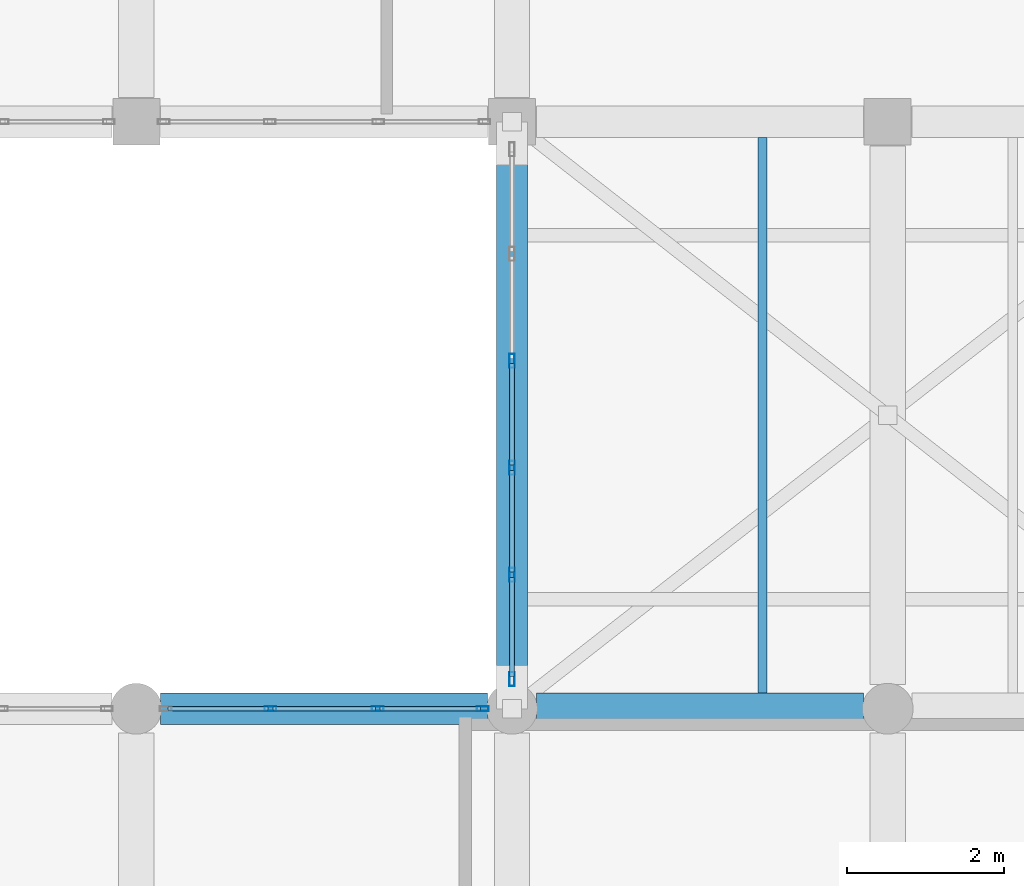
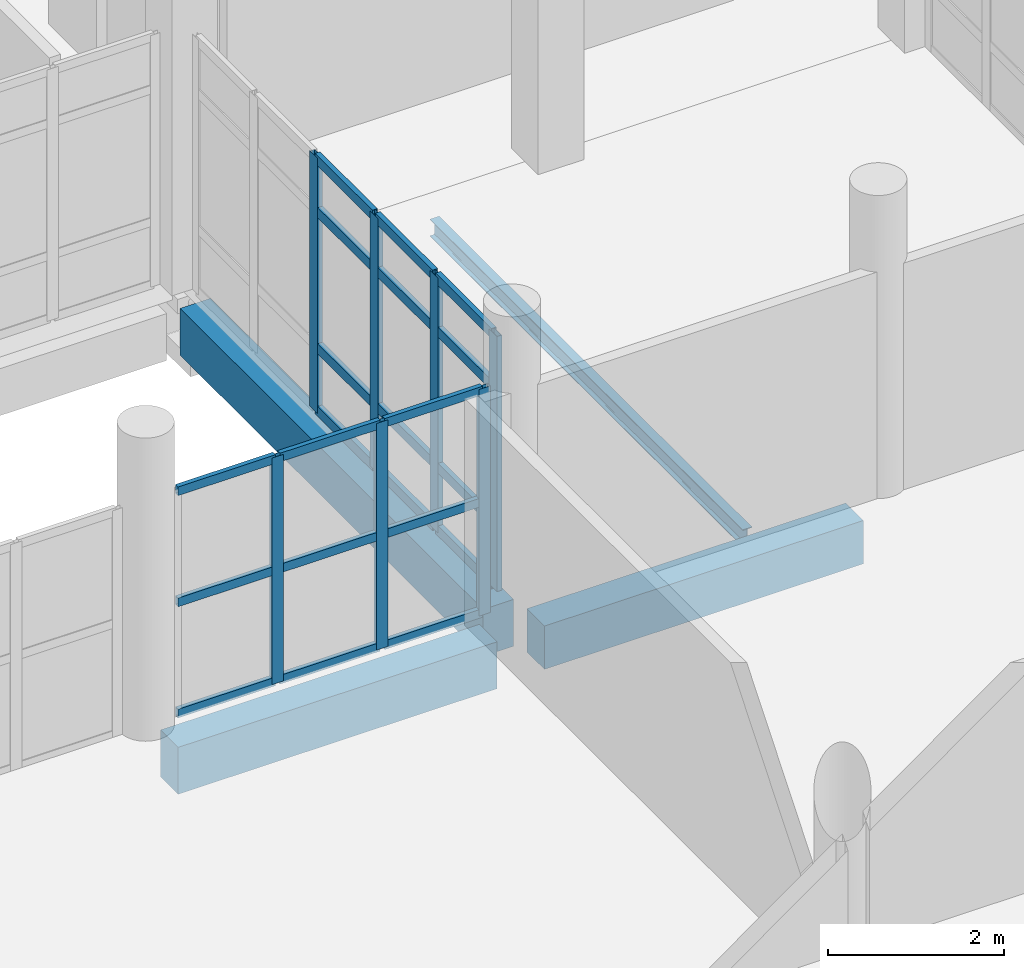
# One storey, part 85 of 164: 28 members, 4 beams, 2 elements without a shape of their own.
"""IFC4 building model written with IfcOpenShell, lengths in metres."""

from ifc_helpers import new_model, si_unit, direction, frame, origin, origin_2d, place, context, subcontext, project, spatial, rectangle, hollow_rectangle, i_section, extrude, material, layer, layer_set, material_profile, profile_set, type_object, element, aggregate, save


model = new_model("IFC4")

# Units and contexts
model_context = context("Model", 3, precision=1e-05, world=origin(), true_north=direction((0.0, 1.0)))
body_context = subcontext(model_context, "Body", "Model", "MODEL_VIEW")
ifc_project = project(units=[si_unit("LENGTHUNIT", "METRE"), si_unit("AREAUNIT", "SQUARE_METRE"), si_unit("VOLUMEUNIT", "CUBIC_METRE"), si_unit("PLANEANGLEUNIT", "RADIAN"), si_unit("MASSUNIT", "GRAM", prefix="KILO")], contexts=[model_context])

# Site, building, storey
site_placement = place(None, origin())
site = spatial("IfcSite", under=ifc_project, at=site_placement, CompositionType="ELEMENT")
building_placement = place(site_placement, origin())
building = spatial("IfcBuilding", under=site, at=building_placement, Name="Mawjan Specialist Oncology Clinic", CompositionType="ELEMENT")
storey_placement = place(building_placement, frame((0.0, 0.0, 5.0)))
storey = spatial("IfcBuildingStorey", under=building, at=storey_placement, Name="L01", CompositionType="ELEMENT", Elevation=5.0)

# Beam
ifc_material_1 = material(Name="Concrete C40/50", Category="concrete")
ifc_material_profile_1 = material_profile(ifc_material_1, rectangle(XDim=0.39990234375, YDim=0.60009765625, at=origin_2d()), Name="RC BM 400x600", Category="concrete")
ifc_profile_set_1 = profile_set([ifc_material_profile_1], Name="Concrete C40/50")
beam_type_1 = type_object("IfcBeamType", Name="BM-400x600", PredefinedType="BEAM", material=ifc_profile_set_1)
beam_1_placement = place(storey_placement, frame((84.31005859375, 75.800048828125, -0.60009765625), z_axis=(1.0, 0.0, 0.0), x_axis=(0.0, 1.0, 0.0)))
element("IfcBeam", 1, at=beam_1_placement, inside=storey, type_object=beam_type_1, Name="L01 Collector Beam BM-L01-0330", PredefinedType="BEAM", context=body_context, shape_type="SweptSolid", body=[
    extrude(rectangle(XDim=0.39990234375, YDim=0.60009765625, at=origin_2d()), origin(), (0.0, 0.0, 1.0), 4.179931640625),
])

# Curtain wall, members
ifc_material_2 = material(Name="Unitised spectrally selective aluminium curtain wall", Category="aluminium")
ifc_layer_1 = layer(ifc_material_2, 0.179931640625, Name="Unitised spectrally selective aluminium curtain wall", Category="aluminium")
ifc_layer_set_1 = layer_set([ifc_layer_1], Name="Unitised spectrally selective aluminium curtain wall")
curtain_wall_type_1 = type_object("IfcCurtainWallType", Name="CW-56", PredefinedType="NOTDEFINED", material=ifc_layer_set_1)
curtain_wall_1_placement = place(storey_placement, origin())
curtain_wall_1 = element("IfcCurtainWall", 2, at=curtain_wall_1_placement, inside=storey, type_object=curtain_wall_type_1, Name="L01 Unitised Curtain Wall CW-L01-107", PredefinedType="NOTDEFINED")
ifc_material_3 = material(Name="Thermally broken aluminium 6063-T6", Category="aluminium")
ifc_material_profile_2 = material_profile(ifc_material_3, hollow_rectangle(XDim=0.06005859375, YDim=0.14990234375, WallThickness=0.00390625, at=origin_2d()), Name="ALU MULLION 150x60x4", Category="aluminium")
ifc_profile_set_2 = profile_set([ifc_material_profile_2], Name="Thermally broken aluminium 6063-T6")
member_type_1 = type_object("IfcMemberType", Name="CW-M150", PredefinedType="MULLION", material=ifc_profile_set_2)
member_1_placement = place(storey_placement, frame((80.9150390625, 75.800048828125, 0.0), z_axis=(0.0, 0.0, 1.0), x_axis=(0.0, 1.0, 0.0)))
member_1 = element("IfcMember", 3, at=member_1_placement, type_object=member_type_1, Name="CW-56 mullion 2", PredefinedType="MULLION", context=body_context, shape_type="SweptSolid", body=[
    extrude(hollow_rectangle(XDim=0.06005859375, YDim=0.14990234375, WallThickness=0.00390625, at=origin_2d()), origin(), (0.0, 0.0, 1.0), 3.139892578125),
])
member_2_placement = place(storey_placement, frame((82.284912109375, 75.800048828125, 0.0), z_axis=(0.0, 0.0, 1.0), x_axis=(0.0, 1.0, 0.0)))
member_2 = element("IfcMember", 4, at=member_2_placement, type_object=member_type_1, Name="CW-56 mullion 3", PredefinedType="MULLION", context=body_context, shape_type="SweptSolid", body=[
    extrude(hollow_rectangle(XDim=0.06005859375, YDim=0.14990234375, WallThickness=0.00390625, at=origin_2d()), origin(), (0.0, 0.0, 1.0), 3.139892578125),
])
member_3_placement = place(storey_placement, frame((83.625, 75.800048828125, 0.0), z_axis=(0.0, 0.0, 1.0), x_axis=(0.0, 1.0, 0.0)))
member_3 = element("IfcMember", 5, at=member_3_placement, type_object=member_type_1, Name="CW-56 mullion 4", PredefinedType="MULLION", context=body_context, shape_type="SweptSolid", body=[
    extrude(hollow_rectangle(XDim=0.06005859375, YDim=0.14990234375, WallThickness=0.00390625, at=origin_2d()), origin(), (0.0, 0.0, 1.0), 3.139892578125),
])

ifc_material_4 = material(Name="Unitised spectrally selective aluminium curtain wall", Category="aluminium")
ifc_layer_2 = layer(ifc_material_4, 0.179931640625, Name="Unitised spectrally selective aluminium curtain wall", Category="aluminium")
ifc_layer_set_2 = layer_set([ifc_layer_2], Name="Unitised spectrally selective aluminium curtain wall")
curtain_wall_type_2 = type_object("IfcCurtainWallType", Name="CW-57", PredefinedType="NOTDEFINED", material=ifc_layer_set_2)
curtain_wall_2_placement = place(storey_placement, origin())
curtain_wall_2 = element("IfcCurtainWall", 6, at=curtain_wall_2_placement, inside=storey, type_object=curtain_wall_type_2, Name="L01 Unitised Curtain Wall CW-L01-108", PredefinedType="NOTDEFINED")
ifc_material_5 = material(Name="Thermally broken aluminium 6063-T6", Category="aluminium")
ifc_material_profile_3 = material_profile(ifc_material_5, hollow_rectangle(XDim=0.06494140625, YDim=0.179931640625, WallThickness=0.00390625, at=origin_2d()), Name="ALU MULLION 180x65x4", Category="aluminium")
ifc_profile_set_3 = profile_set([ifc_material_profile_3], Name="Thermally broken aluminium 6063-T6")
member_type_2 = type_object("IfcMemberType", Name="CW-M180", PredefinedType="MULLION", material=ifc_profile_set_3)
member_4_placement = place(storey_placement, frame((84.0, 76.177490234375, 0.0), z_axis=(0.0, 0.0, 1.0), x_axis=(-1.0, 0.0, 0.0)))
member_4 = element("IfcMember", 7, at=member_4_placement, type_object=member_type_2, Name="CW-57 mullion 1", PredefinedType="MULLION", context=body_context, shape_type="SweptSolid", body=[
    extrude(hollow_rectangle(XDim=0.06494140625, YDim=0.179931640625, WallThickness=0.00390625, at=origin_2d()), origin(), (0.0, 0.0, 1.0), 3.534912109375),
])
member_5_placement = place(storey_placement, frame((84.0, 77.511962890625, 0.0), z_axis=(0.0, 0.0, 1.0), x_axis=(-1.0, 0.0, 0.0)))
member_5 = element("IfcMember", 8, at=member_5_placement, type_object=member_type_2, Name="CW-57 mullion 2", PredefinedType="MULLION", context=body_context, shape_type="SweptSolid", body=[
    extrude(hollow_rectangle(XDim=0.06494140625, YDim=0.179931640625, WallThickness=0.00390625, at=origin_2d()), origin(), (0.0, 0.0, 1.0), 3.534912109375),
])
member_6_placement = place(storey_placement, frame((84.0, 78.87890625, 0.0), z_axis=(0.0, 0.0, 1.0), x_axis=(-1.0, 0.0, 0.0)))
member_6 = element("IfcMember", 9, at=member_6_placement, type_object=member_type_2, Name="CW-57 mullion 3", PredefinedType="MULLION", context=body_context, shape_type="SweptSolid", body=[
    extrude(hollow_rectangle(XDim=0.06494140625, YDim=0.179931640625, WallThickness=0.00390625, at=origin_2d()), origin(), (0.0, 0.0, 1.0), 3.534912109375),
])
member_7_placement = place(storey_placement, frame((84.0, 80.24609375, 0.0), z_axis=(0.0, 0.0, 1.0), x_axis=(-1.0, 0.0, 0.0)))
member_7 = element("IfcMember", 10, at=member_7_placement, type_object=member_type_2, Name="CW-57 mullion 4", PredefinedType="MULLION", context=body_context, shape_type="SweptSolid", body=[
    extrude(hollow_rectangle(XDim=0.06494140625, YDim=0.179931640625, WallThickness=0.00390625, at=origin_2d()), origin(), (0.0, 0.0, 1.0), 3.534912109375),
])

# Member
ifc_material_6 = material(Name="Thermally broken aluminium 6063-T6", Category="aluminium")
ifc_material_profile_4 = material_profile(ifc_material_6, hollow_rectangle(XDim=0.06005859375, YDim=0.1201171875, WallThickness=0.00390625, at=origin_2d()), Name="ALU TRANSOM 120x60x4", Category="aluminium")
ifc_profile_set_4 = profile_set([ifc_material_profile_4], Name="Thermally broken aluminium 6063-T6")
member_type_3 = type_object("IfcMemberType", Name="CW-T120", PredefinedType="USERDEFINED", material=ifc_profile_set_4)
member_8_placement = place(storey_placement, frame((79.60498046875, 75.800048828125, 0.030029296875), z_axis=(1.0, 0.0, 0.0), x_axis=(0.0, 1.0, 0.0)))
member_8 = element("IfcMember", 11, at=member_8_placement, type_object=member_type_3, Name="CW-56 transom 1.1", ObjectType="TRANSOM", PredefinedType="USERDEFINED", context=body_context, shape_type="SweptSolid", body=[
    extrude(hollow_rectangle(XDim=0.06005859375, YDim=0.1201171875, WallThickness=0.00390625, at=origin_2d()), origin(), (0.0, 0.0, 1.0), 1.280029296875),
])

member_9_placement = place(storey_placement, frame((79.60498046875, 75.800048828125, 1.570068359375), z_axis=(1.0, 0.0, 0.0), x_axis=(0.0, 1.0, 0.0)))
member_9 = element("IfcMember", 12, at=member_9_placement, type_object=member_type_3, Name="CW-56 transom 1.2", ObjectType="TRANSOM", PredefinedType="USERDEFINED", context=body_context, shape_type="SweptSolid", body=[
    extrude(hollow_rectangle(XDim=0.06005859375, YDim=0.1201171875, WallThickness=0.00390625, at=origin_2d()), origin(), (0.0, 0.0, 1.0), 1.280029296875),
])

member_10_placement = place(storey_placement, frame((79.60498046875, 75.800048828125, 3.110107421875), z_axis=(1.0, 0.0, 0.0), x_axis=(0.0, 1.0, 0.0)))
member_10 = element("IfcMember", 13, at=member_10_placement, type_object=member_type_3, Name="CW-56 transom 1.3", ObjectType="TRANSOM", PredefinedType="USERDEFINED", context=body_context, shape_type="SweptSolid", body=[
    extrude(hollow_rectangle(XDim=0.06005859375, YDim=0.1201171875, WallThickness=0.00390625, at=origin_2d()), origin(), (0.0, 0.0, 1.0), 1.280029296875),
])

member_11_placement = place(storey_placement, frame((80.945068359375, 75.800048828125, 0.030029296875), z_axis=(1.0, 0.0, 0.0), x_axis=(0.0, 1.0, 0.0)))
member_11 = element("IfcMember", 14, at=member_11_placement, type_object=member_type_3, Name="CW-56 transom 2.1", ObjectType="TRANSOM", PredefinedType="USERDEFINED", context=body_context, shape_type="SweptSolid", body=[
    extrude(hollow_rectangle(XDim=0.06005859375, YDim=0.1201171875, WallThickness=0.00390625, at=origin_2d()), origin(), (0.0, 0.0, 1.0), 1.309814453125),
])

member_12_placement = place(storey_placement, frame((80.945068359375, 75.800048828125, 1.570068359375), z_axis=(1.0, 0.0, 0.0), x_axis=(0.0, 1.0, 0.0)))
member_12 = element("IfcMember", 15, at=member_12_placement, type_object=member_type_3, Name="CW-56 transom 2.2", ObjectType="TRANSOM", PredefinedType="USERDEFINED", context=body_context, shape_type="SweptSolid", body=[
    extrude(hollow_rectangle(XDim=0.06005859375, YDim=0.1201171875, WallThickness=0.00390625, at=origin_2d()), origin(), (0.0, 0.0, 1.0), 1.309814453125),
])

member_13_placement = place(storey_placement, frame((80.945068359375, 75.800048828125, 3.110107421875), z_axis=(1.0, 0.0, 0.0), x_axis=(0.0, 1.0, 0.0)))
member_13 = element("IfcMember", 16, at=member_13_placement, type_object=member_type_3, Name="CW-56 transom 2.3", ObjectType="TRANSOM", PredefinedType="USERDEFINED", context=body_context, shape_type="SweptSolid", body=[
    extrude(hollow_rectangle(XDim=0.06005859375, YDim=0.1201171875, WallThickness=0.00390625, at=origin_2d()), origin(), (0.0, 0.0, 1.0), 1.309814453125),
])

member_14_placement = place(storey_placement, frame((82.31494140625, 75.800048828125, 0.030029296875), z_axis=(1.0, 0.0, 0.0), x_axis=(0.0, 1.0, 0.0)))
member_14 = element("IfcMember", 17, at=member_14_placement, type_object=member_type_3, Name="CW-56 transom 3.1", ObjectType="TRANSOM", PredefinedType="USERDEFINED", context=body_context, shape_type="SweptSolid", body=[
    extrude(hollow_rectangle(XDim=0.06005859375, YDim=0.1201171875, WallThickness=0.00390625, at=origin_2d()), origin(), (0.0, 0.0, 1.0), 1.280029296875),
])

member_15_placement = place(storey_placement, frame((82.31494140625, 75.800048828125, 1.570068359375), z_axis=(1.0, 0.0, 0.0), x_axis=(0.0, 1.0, 0.0)))
member_15 = element("IfcMember", 18, at=member_15_placement, type_object=member_type_3, Name="CW-56 transom 3.2", ObjectType="TRANSOM", PredefinedType="USERDEFINED", context=body_context, shape_type="SweptSolid", body=[
    extrude(hollow_rectangle(XDim=0.06005859375, YDim=0.1201171875, WallThickness=0.00390625, at=origin_2d()), origin(), (0.0, 0.0, 1.0), 1.280029296875),
])

member_16_placement = place(storey_placement, frame((82.31494140625, 75.800048828125, 3.110107421875), z_axis=(1.0, 0.0, 0.0), x_axis=(0.0, 1.0, 0.0)))
member_16 = element("IfcMember", 19, at=member_16_placement, type_object=member_type_3, Name="CW-56 transom 3.3", ObjectType="TRANSOM", PredefinedType="USERDEFINED", context=body_context, shape_type="SweptSolid", body=[
    extrude(hollow_rectangle(XDim=0.06005859375, YDim=0.1201171875, WallThickness=0.00390625, at=origin_2d()), origin(), (0.0, 0.0, 1.0), 1.280029296875),
])

aggregate(curtain_wall_1, [member_1, member_2, member_3, member_8, member_9, member_10, member_11, member_12, member_13, member_14, member_15, member_16])

ifc_material_7 = material(Name="Thermally broken aluminium 6063-T6", Category="aluminium")
ifc_material_profile_5 = material_profile(ifc_material_7, hollow_rectangle(XDim=0.06494140625, YDim=0.139892578125, WallThickness=0.00390625, at=origin_2d()), Name="ALU TRANSOM 140x65x4", Category="aluminium")
ifc_profile_set_5 = profile_set([ifc_material_profile_5], Name="Thermally broken aluminium 6063-T6")
member_type_4 = type_object("IfcMemberType", Name="CW-T140", PredefinedType="USERDEFINED", material=ifc_profile_set_5)
member_17_placement = place(storey_placement, frame((84.0, 76.2099609375, 0.032470703125), z_axis=(0.0, 1.0, 0.0), x_axis=(-1.0, 0.0, 0.0)))
member_17 = element("IfcMember", 20, at=member_17_placement, type_object=member_type_4, Name="CW-57 transom 1.1", ObjectType="TRANSOM", PredefinedType="USERDEFINED", context=body_context, shape_type="SweptSolid", body=[
    extrude(hollow_rectangle(XDim=0.06494140625, YDim=0.139892578125, WallThickness=0.00390625, at=origin_2d()), origin(), (0.0, 0.0, 1.0), 1.26953125),
])

member_18_placement = place(storey_placement, frame((84.0, 76.2099609375, 0.89990234375), z_axis=(0.0, 1.0, 0.0), x_axis=(-1.0, 0.0, 0.0)))
member_18 = element("IfcMember", 21, at=member_18_placement, type_object=member_type_4, Name="CW-57 transom 1.2", ObjectType="TRANSOM", PredefinedType="USERDEFINED", context=body_context, shape_type="SweptSolid", body=[
    extrude(hollow_rectangle(XDim=0.06494140625, YDim=0.139892578125, WallThickness=0.00390625, at=origin_2d()), origin(), (0.0, 0.0, 1.0), 1.26953125),
])

member_19_placement = place(storey_placement, frame((84.0, 76.2099609375, 2.784912109375), z_axis=(0.0, 1.0, 0.0), x_axis=(-1.0, 0.0, 0.0)))
member_19 = element("IfcMember", 22, at=member_19_placement, type_object=member_type_4, Name="CW-57 transom 1.3", ObjectType="TRANSOM", PredefinedType="USERDEFINED", context=body_context, shape_type="SweptSolid", body=[
    extrude(hollow_rectangle(XDim=0.06494140625, YDim=0.139892578125, WallThickness=0.00390625, at=origin_2d()), origin(), (0.0, 0.0, 1.0), 1.26953125),
])

member_20_placement = place(storey_placement, frame((84.0, 76.2099609375, 3.50244140625), z_axis=(0.0, 1.0, 0.0), x_axis=(-1.0, 0.0, 0.0)))
member_20 = element("IfcMember", 23, at=member_20_placement, type_object=member_type_4, Name="CW-57 transom 1.4", ObjectType="TRANSOM", PredefinedType="USERDEFINED", context=body_context, shape_type="SweptSolid", body=[
    extrude(hollow_rectangle(XDim=0.06494140625, YDim=0.139892578125, WallThickness=0.00390625, at=origin_2d()), origin(), (0.0, 0.0, 1.0), 1.26953125),
])

member_21_placement = place(storey_placement, frame((84.0, 77.54443359375, 0.032470703125), z_axis=(0.0, 1.0, 0.0), x_axis=(-1.0, 0.0, 0.0)))
member_21 = element("IfcMember", 24, at=member_21_placement, type_object=member_type_4, Name="CW-57 transom 2.1", ObjectType="TRANSOM", PredefinedType="USERDEFINED", context=body_context, shape_type="SweptSolid", body=[
    extrude(hollow_rectangle(XDim=0.06494140625, YDim=0.139892578125, WallThickness=0.00390625, at=origin_2d()), origin(), (0.0, 0.0, 1.0), 1.302001953125),
])

member_22_placement = place(storey_placement, frame((84.0, 77.54443359375, 0.89990234375), z_axis=(0.0, 1.0, 0.0), x_axis=(-1.0, 0.0, 0.0)))
member_22 = element("IfcMember", 25, at=member_22_placement, type_object=member_type_4, Name="CW-57 transom 2.2", ObjectType="TRANSOM", PredefinedType="USERDEFINED", context=body_context, shape_type="SweptSolid", body=[
    extrude(hollow_rectangle(XDim=0.06494140625, YDim=0.139892578125, WallThickness=0.00390625, at=origin_2d()), origin(), (0.0, 0.0, 1.0), 1.302001953125),
])

member_23_placement = place(storey_placement, frame((84.0, 77.54443359375, 2.784912109375), z_axis=(0.0, 1.0, 0.0), x_axis=(-1.0, 0.0, 0.0)))
member_23 = element("IfcMember", 26, at=member_23_placement, type_object=member_type_4, Name="CW-57 transom 2.3", ObjectType="TRANSOM", PredefinedType="USERDEFINED", context=body_context, shape_type="SweptSolid", body=[
    extrude(hollow_rectangle(XDim=0.06494140625, YDim=0.139892578125, WallThickness=0.00390625, at=origin_2d()), origin(), (0.0, 0.0, 1.0), 1.302001953125),
])

member_24_placement = place(storey_placement, frame((84.0, 77.54443359375, 3.50244140625), z_axis=(0.0, 1.0, 0.0), x_axis=(-1.0, 0.0, 0.0)))
member_24 = element("IfcMember", 27, at=member_24_placement, type_object=member_type_4, Name="CW-57 transom 2.4", ObjectType="TRANSOM", PredefinedType="USERDEFINED", context=body_context, shape_type="SweptSolid", body=[
    extrude(hollow_rectangle(XDim=0.06494140625, YDim=0.139892578125, WallThickness=0.00390625, at=origin_2d()), origin(), (0.0, 0.0, 1.0), 1.302001953125),
])

member_25_placement = place(storey_placement, frame((84.0, 78.91162109375, 0.032470703125), z_axis=(0.0, 1.0, 0.0), x_axis=(-1.0, 0.0, 0.0)))
member_25 = element("IfcMember", 28, at=member_25_placement, type_object=member_type_4, Name="CW-57 transom 3.1", ObjectType="TRANSOM", PredefinedType="USERDEFINED", context=body_context, shape_type="SweptSolid", body=[
    extrude(hollow_rectangle(XDim=0.06494140625, YDim=0.139892578125, WallThickness=0.00390625, at=origin_2d()), origin(), (0.0, 0.0, 1.0), 1.3017578125),
])

member_26_placement = place(storey_placement, frame((84.0, 78.91162109375, 0.89990234375), z_axis=(0.0, 1.0, 0.0), x_axis=(-1.0, 0.0, 0.0)))
member_26 = element("IfcMember", 29, at=member_26_placement, type_object=member_type_4, Name="CW-57 transom 3.2", ObjectType="TRANSOM", PredefinedType="USERDEFINED", context=body_context, shape_type="SweptSolid", body=[
    extrude(hollow_rectangle(XDim=0.06494140625, YDim=0.139892578125, WallThickness=0.00390625, at=origin_2d()), origin(), (0.0, 0.0, 1.0), 1.3017578125),
])

member_27_placement = place(storey_placement, frame((84.0, 78.91162109375, 2.784912109375), z_axis=(0.0, 1.0, 0.0), x_axis=(-1.0, 0.0, 0.0)))
member_27 = element("IfcMember", 30, at=member_27_placement, type_object=member_type_4, Name="CW-57 transom 3.3", ObjectType="TRANSOM", PredefinedType="USERDEFINED", context=body_context, shape_type="SweptSolid", body=[
    extrude(hollow_rectangle(XDim=0.06494140625, YDim=0.139892578125, WallThickness=0.00390625, at=origin_2d()), origin(), (0.0, 0.0, 1.0), 1.3017578125),
])

member_28_placement = place(storey_placement, frame((84.0, 78.91162109375, 3.50244140625), z_axis=(0.0, 1.0, 0.0), x_axis=(-1.0, 0.0, 0.0)))
member_28 = element("IfcMember", 31, at=member_28_placement, type_object=member_type_4, Name="CW-57 transom 3.4", ObjectType="TRANSOM", PredefinedType="USERDEFINED", context=body_context, shape_type="SweptSolid", body=[
    extrude(hollow_rectangle(XDim=0.06494140625, YDim=0.139892578125, WallThickness=0.00390625, at=origin_2d()), origin(), (0.0, 0.0, 1.0), 1.3017578125),
])

aggregate(curtain_wall_2, [member_4, member_5, member_6, member_7, member_17, member_18, member_19, member_20, member_21, member_22, member_23, member_24, member_25, member_26, member_27, member_28])

# Beams
ifc_material_8 = material(Name="Structural steel S355", Category="steel")
ifc_material_profile_6 = material_profile(ifc_material_8, i_section(OverallWidth=0.1201171875, OverallDepth=0.239990234375, WebThickness=0.006103515625, FlangeThickness=0.009765625, FilletRadius=0.014892578125, at=origin_2d()), Name="IPE 240", Category="steel")
ifc_profile_set_6 = profile_set([ifc_material_profile_6], Name="Structural steel S355")
beam_type_2 = type_object("IfcBeamType", Name="JST-IPE240", PredefinedType="JOIST", material=ifc_profile_set_6)
beam_2_placement = place(storey_placement, frame((87.199951171875, 76.0, -0.320068359375), z_axis=(0.0, 1.0, 0.0), x_axis=(-1.0, 0.0, 0.0)))
element("IfcBeam", 32, at=beam_2_placement, inside=storey, type_object=beam_type_2, Name="L01 Secondary Floor Joist 1", PredefinedType="JOIST", context=body_context, shape_type="SweptSolid", body=[
    extrude(i_section(OverallWidth=0.1201171875, OverallDepth=0.239990234375, WebThickness=0.006103515625, FlangeThickness=0.009765625, FilletRadius=0.014892578125, at=origin_2d()), origin(), (0.0, 0.0, 1.0), 7.10009765625),
])
ifc_material_9 = material(Name="Concrete C45/55", Category="concrete")
ifc_material_profile_7 = material_profile(ifc_material_9, rectangle(XDim=0.39990234375, YDim=0.64990234375, at=origin_2d()), Name="RC BM 400x650", Category="concrete")
ifc_profile_set_7 = profile_set([ifc_material_profile_7], Name="Concrete C45/55")
beam_type_3 = type_object("IfcBeamType", Name="SP-400x650", PredefinedType="SPANDREL", material=ifc_profile_set_7)
beam_3_placement = place(storey_placement, frame((79.510009765625, 75.800048828125, -0.625), z_axis=(1.0, 0.0, 0.0), x_axis=(0.0, 1.0, 0.0)))
element("IfcBeam", 33, at=beam_3_placement, inside=storey, type_object=beam_type_3, Name="L01 Spandrel Beam BM-L01-0329", PredefinedType="SPANDREL", context=body_context, shape_type="SweptSolid", body=[
    extrude(rectangle(XDim=0.39990234375, YDim=0.64990234375, at=origin_2d()), origin(), (0.0, 0.0, 1.0), 4.179931640625),
])
beam_4_placement = place(storey_placement, frame((84.0, 76.110107421875, -0.52490234375), z_axis=(0.0, 1.0, 0.0), x_axis=(-1.0, 0.0, 0.0)))
element("IfcBeam", 34, at=beam_4_placement, inside=storey, type_object=beam_type_3, Name="L01 Spandrel Beam BM-L01-0522", PredefinedType="SPANDREL", context=body_context, shape_type="SweptSolid", body=[
    extrude(rectangle(XDim=0.39990234375, YDim=0.64990234375, at=origin_2d()), origin(), (0.0, 0.0, 1.0), 6.8798828125),
])

save(model, "model.ifc")
